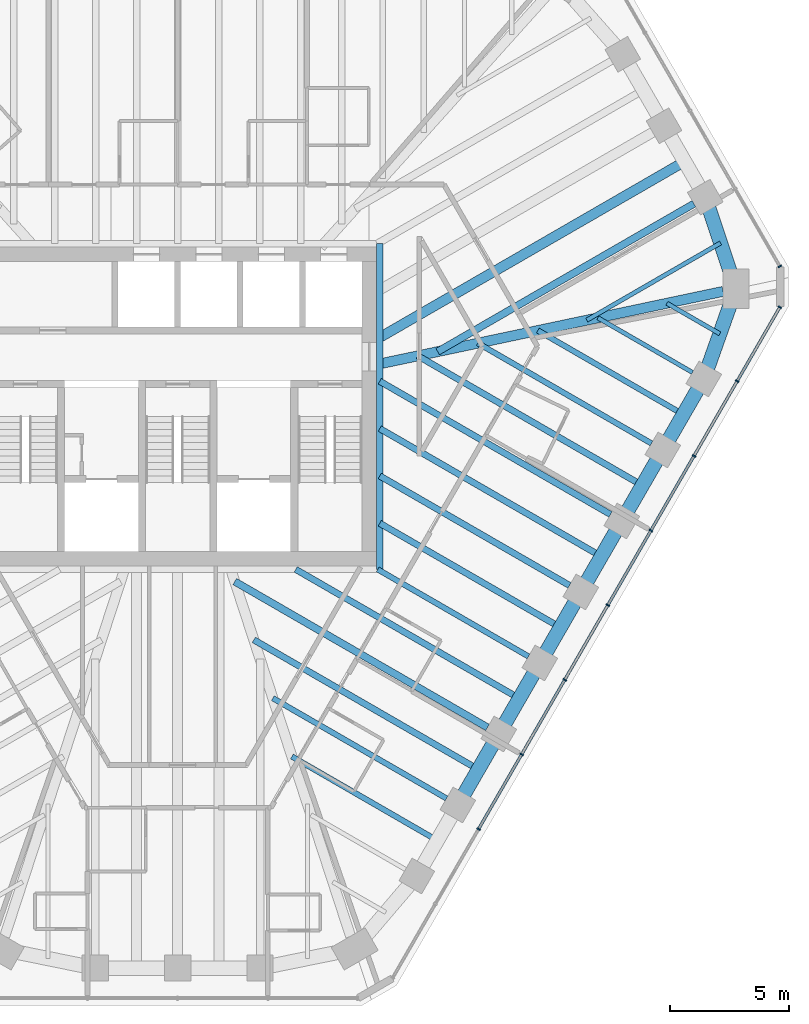
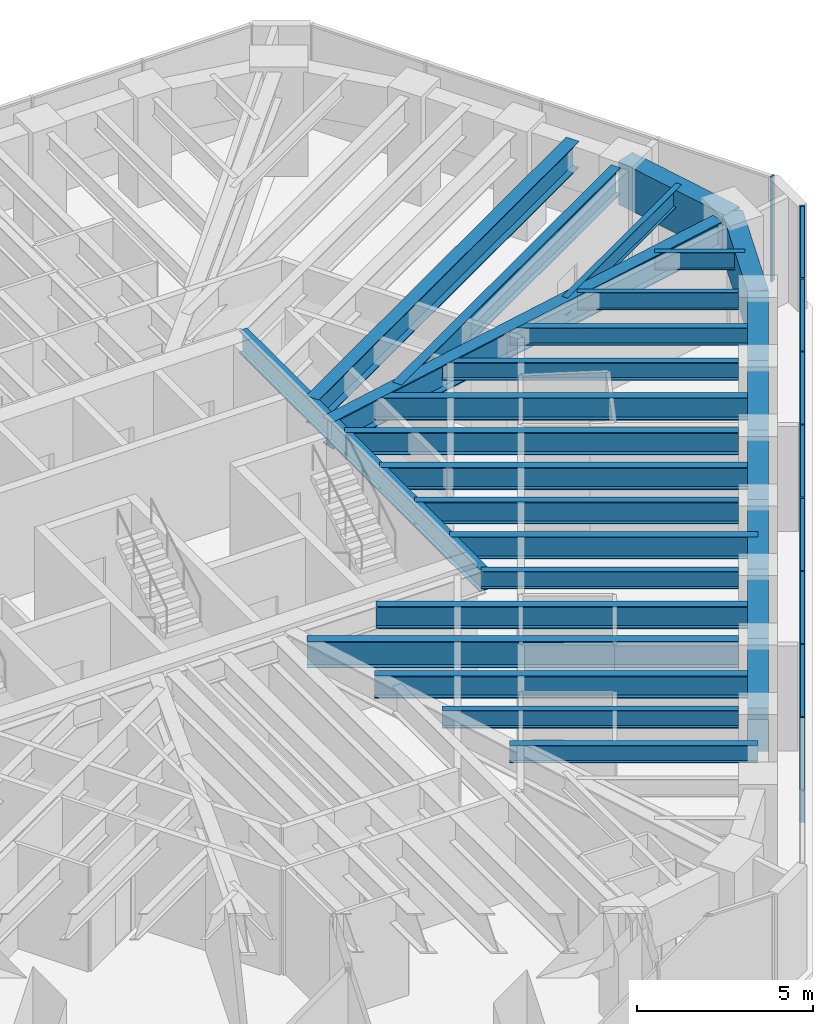
# One storey, part 5 of 14: 28 beams, 16 members, 2 elements without a shape of their own.
"""IFC4 building model written with IfcOpenShell, lengths in metres."""

from ifc_helpers import new_model, si_unit, direction, frame, origin, origin_2d, place, context, subcontext, project, spatial, rectangle, i_section, extrude, material, material_profile, profile_set, type_object, element, aggregate, save


model = new_model("IFC4")

# Units and contexts
model_context = context("Model", 3, precision=1e-05, world=origin(), true_north=direction((0.0, 1.0)))
body_context = subcontext(model_context, "Body", "Model", "MODEL_VIEW")
ifc_project = project(units=[si_unit("LENGTHUNIT", "METRE"), si_unit("AREAUNIT", "SQUARE_METRE"), si_unit("VOLUMEUNIT", "CUBIC_METRE"), si_unit("PLANEANGLEUNIT", "RADIAN"), si_unit("MASSUNIT", "GRAM", prefix="KILO")], contexts=[model_context])

# Site, building, storey
site_placement = place(None, origin())
site = spatial("IfcSite", under=ifc_project, at=site_placement, CompositionType="ELEMENT")
building_placement = place(site_placement, origin())
building = spatial("IfcBuilding", under=site, at=building_placement, Name="Sandreach Pilgrim Tower", CompositionType="ELEMENT")
storey_placement = place(building_placement, frame((0.0, 0.0, 295.0)))
storey = spatial("IfcBuildingStorey", under=building, at=storey_placement, Name="L74", CompositionType="ELEMENT", Elevation=295.0)

# Curtain wall, member
ifc_material_1 = material(Name="Aluminium framed curtain wall", Category="aluminium")
curtain_wall_type = type_object("IfcCurtainWallType", Name="Suite tower curtain wall", PredefinedType="NOTDEFINED", material=ifc_material_1)
curtain_wall_1_placement = place(storey_placement, origin())
curtain_wall_1 = element("IfcCurtainWall", 1, at=curtain_wall_1_placement, inside=storey, type_object=curtain_wall_type, Name="CW-4 L74 NE", PredefinedType="NOTDEFINED")
ifc_material_2 = material(Name="Aluminium extrusion", Category="aluminium")
ifc_material_profile_1 = material_profile(ifc_material_2, rectangle(XDim=0.06005859375, YDim=0.159912109375, at=origin_2d()), Name="CW-4M 60X160")
ifc_profile_set_1 = profile_set([ifc_material_profile_1], Name="Aluminium extrusion")
member_type_1 = type_object("IfcMemberType", Name="CW-4 mullion", PredefinedType="MULLION", material=ifc_profile_set_1)
member_1_placement = place(storey_placement, frame((25.304443359375, 5.8876953125, 0.0), z_axis=(0.0, 0.0, 1.0), x_axis=(0.5, -0.866025403784, 0.0)))
member_1 = element("IfcMember", 2, at=member_1_placement, type_object=member_type_1, Name="CW-4 mullion 5", PredefinedType="MULLION", context=body_context, shape_type="SweptSolid", body=[
    extrude(rectangle(XDim=0.06005859375, YDim=0.159912109375, at=origin_2d()), origin(), (0.0, 0.0, 1.0), 3.639892578125),
])
aggregate(curtain_wall_1, [member_1])

# Curtain wall, members
curtain_wall_2_placement = place(storey_placement, origin())
curtain_wall_2 = element("IfcCurtainWall", 3, at=curtain_wall_2_placement, inside=storey, type_object=curtain_wall_type, Name="CW-4 L74 SE", PredefinedType="NOTDEFINED")
member_2_placement = place(storey_placement, frame((25.304443359375, 4.175537109375, 0.0), z_axis=(0.0, 0.0, 1.0), x_axis=(-0.5, -0.866025403784, 0.0)))
member_2 = element("IfcMember", 4, at=member_2_placement, type_object=member_type_1, Name="CW-4 mullion 1", PredefinedType="MULLION", context=body_context, shape_type="SweptSolid", body=[
    extrude(rectangle(XDim=0.06005859375, YDim=0.159912109375, at=origin_2d()), origin(), (0.0, 0.0, 1.0), 3.639892578125),
])
member_3_placement = place(storey_placement, frame((23.508544921875, 1.06494140625, 0.0), z_axis=(0.0, 0.0, 1.0), x_axis=(-0.5, -0.866025403784, 0.0)))
member_3 = element("IfcMember", 5, at=member_3_placement, type_object=member_type_1, Name="CW-4 mullion 2", PredefinedType="MULLION", context=body_context, shape_type="SweptSolid", body=[
    extrude(rectangle(XDim=0.06005859375, YDim=0.159912109375, at=origin_2d()), origin(), (0.0, 0.0, 1.0), 3.639892578125),
])
member_4_placement = place(storey_placement, frame((21.697509765625, -2.071533203125, 0.0), z_axis=(0.0, 0.0, 1.0), x_axis=(-0.5, -0.866025403784, 0.0)))
member_4 = element("IfcMember", 6, at=member_4_placement, type_object=member_type_1, Name="CW-4 mullion 3", PredefinedType="MULLION", context=body_context, shape_type="SweptSolid", body=[
    extrude(rectangle(XDim=0.06005859375, YDim=0.159912109375, at=origin_2d()), origin(), (0.0, 0.0, 1.0), 3.639892578125),
])
member_5_placement = place(storey_placement, frame((19.886474609375, -5.208251953125, 0.0), z_axis=(0.0, 0.0, 1.0), x_axis=(-0.5, -0.866025403784, 0.0)))
member_5 = element("IfcMember", 7, at=member_5_placement, type_object=member_type_1, Name="CW-4 mullion 4", PredefinedType="MULLION", context=body_context, shape_type="SweptSolid", body=[
    extrude(rectangle(XDim=0.06005859375, YDim=0.159912109375, at=origin_2d()), origin(), (0.0, 0.0, 1.0), 3.639892578125),
])
member_6_placement = place(storey_placement, frame((18.07568359375, -8.344970703125, 0.0), z_axis=(0.0, 0.0, 1.0), x_axis=(-0.5, -0.866025403784, 0.0)))
member_6 = element("IfcMember", 8, at=member_6_placement, type_object=member_type_1, Name="CW-4 mullion 5", PredefinedType="MULLION", context=body_context, shape_type="SweptSolid", body=[
    extrude(rectangle(XDim=0.06005859375, YDim=0.159912109375, at=origin_2d()), origin(), (0.0, 0.0, 1.0), 3.639892578125),
])
member_7_placement = place(storey_placement, frame((16.2646484375, -11.4814453125, 0.0), z_axis=(0.0, 0.0, 1.0), x_axis=(-0.5, -0.866025403784, 0.0)))
member_7 = element("IfcMember", 9, at=member_7_placement, type_object=member_type_1, Name="CW-4 mullion 6", PredefinedType="MULLION", context=body_context, shape_type="SweptSolid", body=[
    extrude(rectangle(XDim=0.06005859375, YDim=0.159912109375, at=origin_2d()), origin(), (0.0, 0.0, 1.0), 3.639892578125),
])
member_8_placement = place(storey_placement, frame((14.453857421875, -14.6181640625, 0.0), z_axis=(0.0, 0.0, 1.0), x_axis=(-0.5, -0.866025403784, 0.0)))
member_8 = element("IfcMember", 10, at=member_8_placement, type_object=member_type_1, Name="CW-4 mullion 7", PredefinedType="MULLION", context=body_context, shape_type="SweptSolid", body=[
    extrude(rectangle(XDim=0.06005859375, YDim=0.159912109375, at=origin_2d()), origin(), (0.0, 0.0, 1.0), 3.639892578125),
])
member_9_placement = place(storey_placement, frame((12.642822265625, -17.7548828125, 0.0), z_axis=(0.0, 0.0, 1.0), x_axis=(-0.5, -0.866025403784, 0.0)))
member_9 = element("IfcMember", 11, at=member_9_placement, type_object=member_type_1, Name="CW-4 mullion 8", PredefinedType="MULLION", context=body_context, shape_type="SweptSolid", body=[
    extrude(rectangle(XDim=0.06005859375, YDim=0.159912109375, at=origin_2d()), origin(), (0.0, 0.0, 1.0), 3.639892578125),
])
ifc_material_3 = material(Name="Aluminium extrusion", Category="aluminium")
ifc_material_profile_2 = material_profile(ifc_material_3, rectangle(XDim=0.1201171875, YDim=0.070068359375, at=origin_2d()), Name="CW-4T 120X70")
ifc_profile_set_2 = profile_set([ifc_material_profile_2], Name="Aluminium extrusion")
member_type_2 = type_object("IfcMemberType", Name="CW-4 transom", PredefinedType="USERDEFINED", material=ifc_profile_set_2)
member_10_placement = place(storey_placement, frame((25.289306640625, 4.149658203125, 3.60498046875), z_axis=(-0.499997709859, -0.866026725994, 0.0), x_axis=(0.866026725994, -0.499997709859, 0.0)))
member_10 = element("IfcMember", 12, at=member_10_placement, type_object=member_type_2, Name="CW-4 head transom 1", ObjectType="TRANSOM", PredefinedType="USERDEFINED", context=body_context, shape_type="SweptSolid", body=[
    extrude(rectangle(XDim=0.1201171875, YDim=0.070068359375, at=origin_2d()), origin(), (0.0, 0.0, 1.0), 3.53173828125),
])
member_11_placement = place(storey_placement, frame((23.493408203125, 1.0390625, 3.60498046875), z_axis=(-0.500009219579, -0.866020080793, 0.0), x_axis=(0.866020080793, -0.500009219579, 0.0)))
member_11 = element("IfcMember", 13, at=member_11_placement, type_object=member_type_2, Name="CW-4 head transom 2", ObjectType="TRANSOM", PredefinedType="USERDEFINED", context=body_context, shape_type="SweptSolid", body=[
    extrude(rectangle(XDim=0.1201171875, YDim=0.070068359375, at=origin_2d()), origin(), (0.0, 0.0, 1.0), 3.56201171875),
])
member_12_placement = place(storey_placement, frame((21.6826171875, -2.09765625, 3.60498046875), z_axis=(-0.500009219579, -0.866020080793, 0.0), x_axis=(0.866020080793, -0.500009219579, 0.0)))
member_12 = element("IfcMember", 14, at=member_12_placement, type_object=member_type_2, Name="CW-4 head transom 3", ObjectType="TRANSOM", PredefinedType="USERDEFINED", context=body_context, shape_type="SweptSolid", body=[
    extrude(rectangle(XDim=0.1201171875, YDim=0.070068359375, at=origin_2d()), origin(), (0.0, 0.0, 1.0), 3.56201171875),
])
member_13_placement = place(storey_placement, frame((19.87158203125, -5.234375, 3.60498046875), z_axis=(-0.500038900691, -0.866002943295, 0.0), x_axis=(0.866002943295, -0.500038900691, 0.0)))
member_13 = element("IfcMember", 15, at=member_13_placement, type_object=member_type_2, Name="CW-4 head transom 4", ObjectType="TRANSOM", PredefinedType="USERDEFINED", context=body_context, shape_type="SweptSolid", body=[
    extrude(rectangle(XDim=0.1201171875, YDim=0.070068359375, at=origin_2d()), origin(), (0.0, 0.0, 1.0), 3.561767578125),
])
member_14_placement = place(storey_placement, frame((18.060546875, -8.370849609375, 3.60498046875), z_axis=(-0.499957811549, -0.866049759928, 0.0), x_axis=(0.866049759928, -0.499957811549, 0.0)))
member_14 = element("IfcMember", 16, at=member_14_placement, type_object=member_type_2, Name="CW-4 head transom 5", ObjectType="TRANSOM", PredefinedType="USERDEFINED", context=body_context, shape_type="SweptSolid", body=[
    extrude(rectangle(XDim=0.1201171875, YDim=0.070068359375, at=origin_2d()), origin(), (0.0, 0.0, 1.0), 3.561767578125),
])
member_15_placement = place(storey_placement, frame((16.249755859375, -11.507568359375, 3.60498046875), z_axis=(-0.500009219579, -0.866020080793, 0.0), x_axis=(0.866020080793, -0.500009219579, 0.0)))
member_15 = element("IfcMember", 17, at=member_15_placement, type_object=member_type_2, Name="CW-4 head transom 6", ObjectType="TRANSOM", PredefinedType="USERDEFINED", context=body_context, shape_type="SweptSolid", body=[
    extrude(rectangle(XDim=0.1201171875, YDim=0.070068359375, at=origin_2d()), origin(), (0.0, 0.0, 1.0), 3.56201171875),
])
member_16_placement = place(storey_placement, frame((14.438720703125, -14.64404296875, 3.60498046875), z_axis=(-0.499957811549, -0.866049759928, 0.0), x_axis=(0.866049759928, -0.499957811549, 0.0)))
member_16 = element("IfcMember", 18, at=member_16_placement, type_object=member_type_2, Name="CW-4 head transom 7", ObjectType="TRANSOM", PredefinedType="USERDEFINED", context=body_context, shape_type="SweptSolid", body=[
    extrude(rectangle(XDim=0.1201171875, YDim=0.070068359375, at=origin_2d()), origin(), (0.0, 0.0, 1.0), 3.561767578125),
])
aggregate(curtain_wall_2, [member_2, member_3, member_4, member_5, member_6, member_7, member_8, member_9, member_10, member_11, member_12, member_13, member_14, member_15, member_16])

# Beams
ifc_material_4 = material(Name="Steel ASTM A992 Grade 50", Category="steel")
ifc_material_profile_3 = material_profile(ifc_material_4, i_section(OverallWidth=0.2666015625, OverallDepth=0.77978515625, WebThickness=0.0166015625, FlangeThickness=0.030029296875, at=origin_2d()), Name="W30X148")
ifc_profile_set_3 = profile_set([ifc_material_profile_3], Name="Steel ASTM A992 Grade 50")
beam_type_1 = type_object("IfcBeamType", Name="Core edge beam W30X148", PredefinedType="BEAM", material=ifc_profile_set_3)
beam_1_placement = place(storey_placement, frame((8.493408203125, 6.84326171875, 3.25), z_axis=(0.0, -1.0, 0.0), x_axis=(1.0, 0.0, 0.0)))
element("IfcBeam", 19, at=beam_1_placement, inside=storey, type_object=beam_type_1, Name="BM L74 CEE", PredefinedType="BEAM", context=body_context, shape_type="SweptSolid", body=[
    extrude(i_section(OverallWidth=0.2666015625, OverallDepth=0.77978515625, WebThickness=0.0166015625, FlangeThickness=0.030029296875, at=origin_2d()), origin(), (0.0, 0.0, 1.0), 13.6865234375),
])
ifc_material_5 = material(Name="Steel ASTM A992 Grade 50", Category="steel")
ifc_material_profile_4 = material_profile(ifc_material_5, i_section(OverallWidth=0.421630859375, OverallDepth=0.937255859375, WebThickness=0.0224609375, FlangeThickness=0.039794921875, at=origin_2d()), Name="W36X282")
ifc_profile_set_4 = profile_set([ifc_material_profile_4], Name="Steel ASTM A992 Grade 50")
beam_type_2 = type_object("IfcBeamType", Name="Corner girder W36X282", PredefinedType="BEAM", material=ifc_profile_set_4)
beam_2_placement = place(storey_placement, frame((22.917724609375, 4.838623046875, 3.17138671875), z_axis=(-0.978430270369, -0.206577360876, 0.0), x_axis=(0.206577360876, -0.978430270369, 0.0)))
element("IfcBeam", 20, at=beam_2_placement, inside=storey, type_object=beam_type_2, Name="BM L74 CG13", PredefinedType="BEAM", context=body_context, shape_type="SweptSolid", body=[
    extrude(i_section(OverallWidth=0.421630859375, OverallDepth=0.937255859375, WebThickness=0.0224609375, FlangeThickness=0.039794921875, at=origin_2d()), origin(), (0.0, 0.0, 1.0), 14.888671875),
])
ifc_material_6 = material(Name="Steel ASTM A992 Grade 50", Category="steel")
ifc_material_profile_5 = material_profile(ifc_material_6, i_section(OverallWidth=0.1787109375, OverallDepth=0.60205078125, WebThickness=0.010986328125, FlangeThickness=0.014892578125, at=origin_2d()), Name="W24X62")
ifc_profile_set_5 = profile_set([ifc_material_profile_5], Name="Steel ASTM A992 Grade 50")
beam_type_3 = type_object("IfcBeamType", Name="Floor beam W24X62", PredefinedType="BEAM", material=ifc_profile_set_5)
beam_3_placement = place(storey_placement, frame((21.631591796875, 1.433837890625, 3.339111328125), z_axis=(-0.866037621819, 0.499978837146, 0.0), x_axis=(-0.499978837146, -0.866037621819, 0.0)))
element("IfcBeam", 21, at=beam_3_placement, inside=storey, type_object=beam_type_3, Name="BM L74 F14", PredefinedType="BEAM", context=body_context, shape_type="SweptSolid", body=[
    extrude(i_section(OverallWidth=0.1787109375, OverallDepth=0.60205078125, WebThickness=0.010986328125, FlangeThickness=0.014892578125, at=origin_2d()), origin(), (0.0, 0.0, 1.0), 4.588623046875),
])
beam_4_placement = place(storey_placement, frame((22.8125, 6.875, 3.339111328125), z_axis=(-0.866023980233, -0.500002465655, 0.0), x_axis=(0.500002465655, -0.866023980233, 0.0)))
element("IfcBeam", 22, at=beam_4_placement, inside=storey, type_object=beam_type_3, Name="BM L74 FM12", PredefinedType="BEAM", context=body_context, shape_type="SweptSolid", body=[
    extrude(i_section(OverallWidth=0.1787109375, OverallDepth=0.60205078125, WebThickness=0.010986328125, FlangeThickness=0.014892578125, at=origin_2d()), origin(), (0.0, 0.0, 1.0), 6.49072265625),
])
beam_5_placement = place(storey_placement, frame((22.78173828125, 3.0556640625, 3.339111328125), z_axis=(-0.8660004255, 0.500043261163, 0.0), x_axis=(-0.500043261163, -0.8660004255, 0.0)))
element("IfcBeam", 23, at=beam_5_placement, inside=storey, type_object=beam_type_3, Name="BM L74 FM13", PredefinedType="BEAM", context=body_context, shape_type="SweptSolid", body=[
    extrude(i_section(OverallWidth=0.1787109375, OverallDepth=0.60205078125, WebThickness=0.010986328125, FlangeThickness=0.014892578125, at=origin_2d()), origin(), (0.0, 0.0, 1.0), 2.569091796875),
])
ifc_material_7 = material(Name="Steel ASTM A992 Grade 50", Category="steel")
ifc_material_profile_6 = material_profile(ifc_material_7, i_section(OverallWidth=0.23046875, OverallDepth=0.6171875, WebThickness=0.01318359375, FlangeThickness=0.022216796875, at=origin_2d()), Name="W24X94")
ifc_profile_set_6 = profile_set([ifc_material_profile_6], Name="Steel ASTM A992 Grade 50")
beam_type_4 = type_object("IfcBeamType", Name="Floor beam W24X94", PredefinedType="BEAM", material=ifc_profile_set_6)
beam_6_placement = place(storey_placement, frame((19.908935546875, -1.549560546875, 3.331298828125), z_axis=(-0.866026819143, 0.499997548519, 0.0), x_axis=(-0.499997548519, -0.866026819143, 0.0)))
element("IfcBeam", 24, at=beam_6_placement, inside=storey, type_object=beam_type_4, Name="BM L74 F15", PredefinedType="BEAM", context=body_context, shape_type="SweptSolid", body=[
    extrude(i_section(OverallWidth=0.23046875, OverallDepth=0.6171875, WebThickness=0.01318359375, FlangeThickness=0.022216796875, at=origin_2d()), origin(), (0.0, 0.0, 1.0), 8.4248046875),
])
beam_7_placement = place(storey_placement, frame((14.741455078125, -10.5, 3.331298828125), z_axis=(-0.866019920622, 0.500009496996, 0.0), x_axis=(-0.500009496996, -0.866019920622, 0.0)))
element("IfcBeam", 25, at=beam_7_placement, inside=storey, type_object=beam_type_4, Name="BM L74 F18", PredefinedType="BEAM", context=body_context, shape_type="SweptSolid", body=[
    extrude(i_section(OverallWidth=0.23046875, OverallDepth=0.6171875, WebThickness=0.01318359375, FlangeThickness=0.022216796875, at=origin_2d()), origin(), (0.0, 0.0, 1.0), 7.313232421875),
])
beam_8_placement = place(storey_placement, frame((11.29638671875, -16.466796875, 3.331298828125), z_axis=(-0.866026819143, 0.499997548519, 0.0), x_axis=(-0.499997548519, -0.866026819143, 0.0)))
element("IfcBeam", 26, at=beam_8_placement, inside=storey, type_object=beam_type_4, Name="BM L74 F20", PredefinedType="BEAM", context=body_context, shape_type="SweptSolid", body=[
    extrude(i_section(OverallWidth=0.23046875, OverallDepth=0.6171875, WebThickness=0.01318359375, FlangeThickness=0.022216796875, at=origin_2d()), origin(), (0.0, 0.0, 1.0), 8.4248046875),
])
beam_9_placement = place(storey_placement, frame((21.24658203125, -0.332763671875, 3.331298828125), z_axis=(-0.866028878405, 0.499993981732, 0.0), x_axis=(-0.499993981732, -0.866028878405, 0.0)))
element("IfcBeam", 27, at=beam_9_placement, inside=storey, type_object=beam_type_4, Name="BM L74 FM14", PredefinedType="BEAM", context=body_context, shape_type="SweptSolid", body=[
    extrude(i_section(OverallWidth=0.23046875, OverallDepth=0.6171875, WebThickness=0.01318359375, FlangeThickness=0.022216796875, at=origin_2d()), origin(), (0.0, 0.0, 1.0), 7.056640625),
])
beam_10_placement = place(storey_placement, frame((10.911376953125, -18.233642578125, 3.331298828125), z_axis=(-0.866020229007, 0.50000896287, 0.0), x_axis=(-0.50000896287, -0.866020229007, 0.0)))
element("IfcBeam", 28, at=beam_10_placement, inside=storey, type_object=beam_type_4, Name="BM L74 FM20", PredefinedType="BEAM", context=body_context, shape_type="SweptSolid", body=[
    extrude(i_section(OverallWidth=0.23046875, OverallDepth=0.6171875, WebThickness=0.01318359375, FlangeThickness=0.022216796875, at=origin_2d()), origin(), (0.0, 0.0, 1.0), 7.056396484375),
])
ifc_material_8 = material(Name="Steel ASTM A992 Grade 50", Category="steel")
ifc_material_profile_7 = material_profile(ifc_material_8, i_section(OverallWidth=0.2666015625, OverallDepth=0.761962890625, WebThickness=0.014404296875, FlangeThickness=0.021484375, at=origin_2d()), Name="W30X116")
ifc_profile_set_7 = profile_set([ifc_material_profile_7], Name="Steel ASTM A992 Grade 50")
beam_type_5 = type_object("IfcBeamType", Name="Floor beam W30X116", PredefinedType="BEAM", material=ifc_profile_set_7)
beam_11_placement = place(storey_placement, frame((16.4638671875, -7.516357421875, 3.259033203125), z_axis=(-0.866022580836, 0.500004889459, 0.0), x_axis=(-0.500004889459, -0.866022580836, 0.0)))
element("IfcBeam", 29, at=beam_11_placement, inside=storey, type_object=beam_type_5, Name="BM L74 F17", PredefinedType="BEAM", context=body_context, shape_type="SweptSolid", body=[
    extrude(i_section(OverallWidth=0.2666015625, OverallDepth=0.761962890625, WebThickness=0.014404296875, FlangeThickness=0.021484375, at=origin_2d()), origin(), (0.0, 0.0, 1.0), 9.20361328125),
])
beam_12_placement = place(storey_placement, frame((16.0791015625, -9.283203125, 3.259033203125), z_axis=(-0.866023595995, 0.500003131169, 0.0), x_axis=(-0.500003131169, -0.866023595995, 0.0)))
element("IfcBeam", 30, at=beam_12_placement, inside=storey, type_object=beam_type_5, Name="BM L74 FM17", PredefinedType="BEAM", context=body_context, shape_type="SweptSolid", body=[
    extrude(i_section(OverallWidth=0.2666015625, OverallDepth=0.761962890625, WebThickness=0.014404296875, FlangeThickness=0.021484375, at=origin_2d()), origin(), (0.0, 0.0, 1.0), 8.75927734375),
])
ifc_material_9 = material(Name="Steel ASTM A992 Grade 50", Category="steel")
ifc_material_profile_8 = material_profile(ifc_material_9, i_section(OverallWidth=0.2666015625, OverallDepth=0.77978515625, WebThickness=0.0166015625, FlangeThickness=0.030029296875, at=origin_2d()), Name="W30X148")
ifc_profile_set_8 = profile_set([ifc_material_profile_8], Name="Steel ASTM A992 Grade 50")
beam_type_6 = type_object("IfcBeamType", Name="Floor beam W30X148", PredefinedType="BEAM", material=ifc_profile_set_8)
beam_13_placement = place(storey_placement, frame((18.1865234375, -4.532958984375, 3.25), z_axis=(-0.866030482771, 0.499991202833, 0.0), x_axis=(-0.499991202833, -0.866030482771, 0.0)))
element("IfcBeam", 31, at=beam_13_placement, inside=storey, type_object=beam_type_6, Name="BM L74 F16", PredefinedType="BEAM", context=body_context, shape_type="SweptSolid", body=[
    extrude(i_section(OverallWidth=0.2666015625, OverallDepth=0.77978515625, WebThickness=0.0166015625, FlangeThickness=0.030029296875, at=origin_2d()), origin(), (0.0, 0.0, 1.0), 11.192626953125),
])
beam_14_placement = place(storey_placement, frame((19.52392578125, -3.316162109375, 3.25), z_axis=(-0.866029205616, 0.499993414976, 0.0), x_axis=(-0.499993414976, -0.866029205616, 0.0)))
element("IfcBeam", 32, at=beam_14_placement, inside=storey, type_object=beam_type_6, Name="BM L74 FM15", PredefinedType="BEAM", context=body_context, shape_type="SweptSolid", body=[
    extrude(i_section(OverallWidth=0.2666015625, OverallDepth=0.77978515625, WebThickness=0.0166015625, FlangeThickness=0.030029296875, at=origin_2d()), origin(), (0.0, 0.0, 1.0), 10.893310546875),
])
beam_15_placement = place(storey_placement, frame((17.801513671875, -6.2998046875, 3.25), z_axis=(-0.866025958161, 0.49999903979, 0.0), x_axis=(-0.49999903979, -0.866025958161, 0.0)))
element("IfcBeam", 33, at=beam_15_placement, inside=storey, type_object=beam_type_6, Name="BM L74 FM16", PredefinedType="BEAM", context=body_context, shape_type="SweptSolid", body=[
    extrude(i_section(OverallWidth=0.2666015625, OverallDepth=0.77978515625, WebThickness=0.0166015625, FlangeThickness=0.030029296875, at=origin_2d()), origin(), (0.0, 0.0, 1.0), 10.748046875),
])
beam_16_placement = place(storey_placement, frame((14.3564453125, -12.2666015625, 3.25), z_axis=(-0.866026660645, 0.499997823047, 0.0), x_axis=(-0.499997823047, -0.866026660645, 0.0)))
element("IfcBeam", 34, at=beam_16_placement, inside=storey, type_object=beam_type_6, Name="BM L74 FM18", PredefinedType="BEAM", context=body_context, shape_type="SweptSolid", body=[
    extrude(i_section(OverallWidth=0.2666015625, OverallDepth=0.77978515625, WebThickness=0.0166015625, FlangeThickness=0.030029296875, at=origin_2d()), origin(), (0.0, 0.0, 1.0), 10.8466796875),
])
beam_17_placement = place(storey_placement, frame((12.634033203125, -15.250244140625, 3.25), z_axis=(-0.866019500887, 0.500010223979, 0.0), x_axis=(-0.500010223979, -0.866019500887, 0.0)))
element("IfcBeam", 35, at=beam_17_placement, inside=storey, type_object=beam_type_6, Name="BM L74 FM19", PredefinedType="BEAM", context=body_context, shape_type="SweptSolid", body=[
    extrude(i_section(OverallWidth=0.2666015625, OverallDepth=0.77978515625, WebThickness=0.0166015625, FlangeThickness=0.030029296875, at=origin_2d()), origin(), (0.0, 0.0, 1.0), 10.893310546875),
])
ifc_material_10 = material(Name="Steel ASTM A992 Grade 50", Category="steel")
ifc_material_profile_9 = material_profile(ifc_material_10, i_section(OverallWidth=0.3046875, OverallDepth=0.914306640625, WebThickness=0.0166015625, FlangeThickness=0.02587890625, at=origin_2d()), Name="W36X160")
ifc_profile_set_9 = profile_set([ifc_material_profile_9], Name="Steel ASTM A992 Grade 50")
beam_type_7 = type_object("IfcBeamType", Name="Floor beam W36X160", PredefinedType="BEAM", material=ifc_profile_set_9)
beam_18_placement = place(storey_placement, frame((21.69287109375, 8.522705078125, 3.182861328125), z_axis=(-0.866028931402, -0.499993889937, 0.0), x_axis=(0.499993889937, -0.866028931402, 0.0)))
element("IfcBeam", 36, at=beam_18_placement, inside=storey, type_object=beam_type_7, Name="BM L74 F12", PredefinedType="BEAM", context=body_context, shape_type="SweptSolid", body=[
    extrude(i_section(OverallWidth=0.3046875, OverallDepth=0.914306640625, WebThickness=0.0166015625, FlangeThickness=0.02587890625, at=origin_2d()), origin(), (0.0, 0.0, 1.0), 12.431396484375),
])
beam_19_placement = place(storey_placement, frame((13.018798828125, -13.4833984375, 3.182861328125), z_axis=(-0.866019132277, 0.500010862412, 0.0), x_axis=(-0.500010862412, -0.866019132277, 0.0)))
element("IfcBeam", 37, at=beam_19_placement, inside=storey, type_object=beam_type_7, Name="BM L74 F19", PredefinedType="BEAM", context=body_context, shape_type="SweptSolid", body=[
    extrude(i_section(OverallWidth=0.3046875, OverallDepth=0.914306640625, WebThickness=0.0166015625, FlangeThickness=0.02587890625, at=origin_2d()), origin(), (0.0, 0.0, 1.0), 12.261474609375),
])
ifc_material_11 = material(Name="Steel ASTM A992 Grade 50", Category="steel")
ifc_material_profile_10 = material_profile(ifc_material_11, i_section(OverallWidth=0.419189453125, OverallDepth=0.927001953125, WebThickness=0.019287109375, FlangeThickness=0.031982421875, at=origin_2d()), Name="W36X231")
ifc_profile_set_10 = profile_set([ifc_material_profile_10], Name="Steel ASTM A992 Grade 50")
beam_type_8 = type_object("IfcBeamType", Name="Floor beam W36X231", PredefinedType="BEAM", material=ifc_profile_set_10)
beam_20_placement = place(storey_placement, frame((21.302978515625, 10.29833984375, 3.176513671875), z_axis=(-0.866028362181, -0.499994875871, 0.0), x_axis=(0.499994875871, -0.866028362181, 0.0)))
element("IfcBeam", 38, at=beam_20_placement, inside=storey, type_object=beam_type_8, Name="BM L74 FM11", PredefinedType="BEAM", context=body_context, shape_type="SweptSolid", body=[
    extrude(i_section(OverallWidth=0.419189453125, OverallDepth=0.927001953125, WebThickness=0.019287109375, FlangeThickness=0.031982421875, at=origin_2d()), origin(), (0.0, 0.0, 1.0), 14.791259765625),
])
ifc_material_12 = material(Name="Concrete 10000 psi", Category="concrete")
ifc_material_profile_11 = material_profile(ifc_material_12, rectangle(XDim=0.60009765625, YDim=1.5, at=origin_2d()), Name="RC600X1500")
ifc_profile_set_11 = profile_set([ifc_material_profile_11], Name="Concrete 10000 psi")
beam_type_9 = type_object("IfcBeamType", Name="Spandrel beam RC600X1500", PredefinedType="SPANDREL", material=ifc_profile_set_11)
beam_21_placement = place(storey_placement, frame((22.169189453125, 8.7978515625, 2.889892578125), z_axis=(0.317293238289, -0.948327475578, 0.0), x_axis=(0.948327475578, 0.317293238289, 0.0)))
element("IfcBeam", 39, at=beam_21_placement, inside=storey, type_object=beam_type_9, Name="BM L74 SP12", PredefinedType="SPANDREL", context=body_context, shape_type="SweptSolid", body=[
    extrude(rectangle(XDim=0.60009765625, YDim=1.5, at=origin_2d()), origin(), (0.0, 0.0, 1.0), 4.054931640625),
])
beam_22_placement = place(storey_placement, frame((23.455810546875, 4.952392578125, 2.889892578125), z_axis=(-0.33481464839, -0.94228400773, 0.0), x_axis=(0.94228400773, -0.33481464839, 0.0)))
element("IfcBeam", 40, at=beam_22_placement, inside=storey, type_object=beam_type_9, Name="BM L74 SP13", PredefinedType="SPANDREL", context=body_context, shape_type="SweptSolid", body=[
    extrude(rectangle(XDim=0.60009765625, YDim=1.5, at=origin_2d()), origin(), (0.0, 0.0, 1.0), 4.02587890625),
])
for number, where, z_axis, x_axis, name in (
    (41, (22.10791015625, 1.158935546875, 2.889892578125), (-0.500041441558, -0.866001476168, 0.0), (0.866001476168, -0.500041441558, 0.0), "BM L74 SP14"),
    (42, (20.38525390625, -1.824462890625, 2.889892578125), (-0.499957605418, -0.866049878924, 0.0), (0.866049878924, -0.499957605418, 0.0), "BM L74 SP15"),
    (43, (18.662841796875, -4.80810546875, 2.889892578125), (-0.500041441558, -0.866001476168, 0.0), (0.866001476168, -0.500041441558, 0.0), "BM L74 SP16"),
):
    element("IfcBeam", number, at=place(storey_placement, frame(where, z_axis=z_axis, x_axis=x_axis)), inside=storey, type_object=beam_type_9, Name=name, PredefinedType="SPANDREL", context=body_context, shape_type="SweptSolid", body=[
        extrude(rectangle(XDim=0.60009765625, YDim=1.5, at=origin_2d()), origin(), (0.0, 0.0, 1.0), 3.445068359375),
    ])
beam_23_placement = place(storey_placement, frame((16.940185546875, -7.79150390625, 2.889892578125), z_axis=(-0.499988291006, -0.866032163869, 0.0), x_axis=(0.866032163869, -0.499988291006, 0.0)))
element("IfcBeam", 44, at=beam_23_placement, inside=storey, type_object=beam_type_9, Name="BM L74 SP17", PredefinedType="SPANDREL", context=body_context, shape_type="SweptSolid", body=[
    extrude(rectangle(XDim=0.60009765625, YDim=1.5, at=origin_2d()), origin(), (0.0, 0.0, 1.0), 3.44482421875),
])
beam_24_placement = place(storey_placement, frame((15.2177734375, -10.77490234375, 2.889892578125), z_axis=(-0.500010754882, -0.866019194361, 0.0), x_axis=(0.866019194361, -0.500010754882, 0.0)))
element("IfcBeam", 45, at=beam_24_placement, inside=storey, type_object=beam_type_9, Name="BM L74 SP18", PredefinedType="SPANDREL", context=body_context, shape_type="SweptSolid", body=[
    extrude(rectangle(XDim=0.60009765625, YDim=1.5, at=origin_2d()), origin(), (0.0, 0.0, 1.0), 3.4453125),
])
beam_25_placement = place(storey_placement, frame((13.4951171875, -13.758544921875, 2.889892578125), z_axis=(-0.499988291006, -0.866032163869, 0.0), x_axis=(0.866032163869, -0.499988291006, 0.0)))
element("IfcBeam", 46, at=beam_25_placement, inside=storey, type_object=beam_type_9, Name="BM L74 SP19", PredefinedType="SPANDREL", context=body_context, shape_type="SweptSolid", body=[
    extrude(rectangle(XDim=0.60009765625, YDim=1.5, at=origin_2d()), origin(), (0.0, 0.0, 1.0), 3.44482421875),
])

save(model, "model.ifc")
